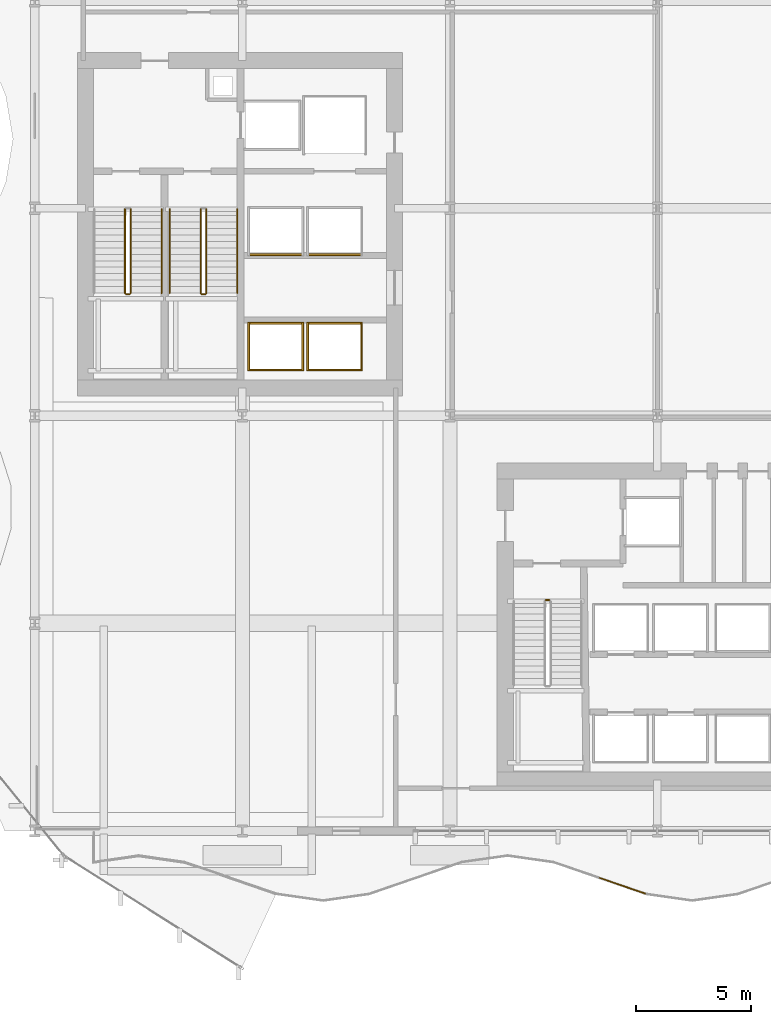
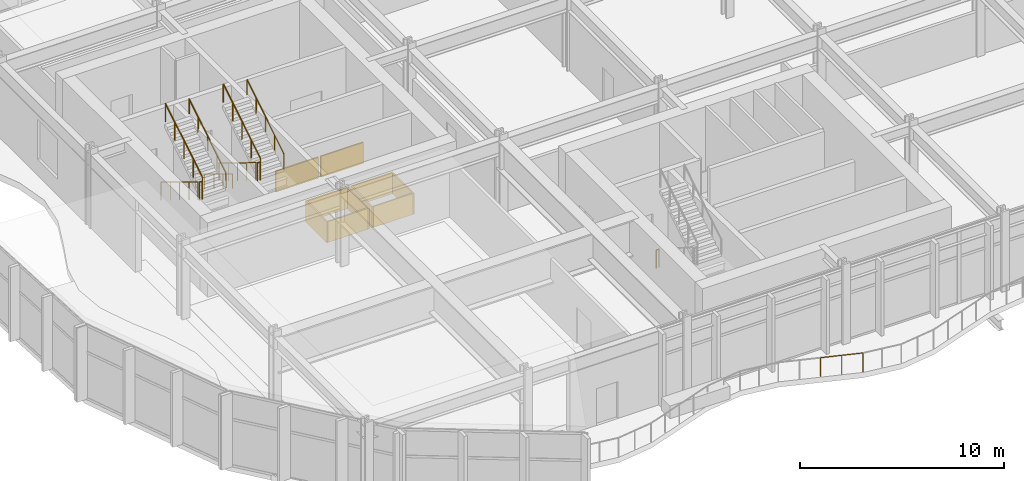
# One storey, part 27 of 31: 11 railings, 10 coverings.
"""IFC4 building model written with IfcOpenShell, lengths in metres."""

import ifcopenshell
import ifcopenshell.guid

model = None  # the IFC model being written
_history = None  # IfcOwnerHistory: only IFC2X3 demands one
_inside = {}  # id of a spatial element -> (the spatial element, [elements in it])
_under = {}  # id of a project, library or spatial element -> (it, [spatial elements below it])
_declared = {}  # id of a project -> (the project, [libraries it declares])
_typed = {}  # id of a type object -> (the type object, [elements of that type])
_made_of = {}  # id of a material, layer set ... -> (it, [elements and type objects made of it])


def new_model(schema):
    """Start an empty IFC model of exactly this schema.

    Asked for "IFC4X3", IfcOpenShell would pick the latest addendum, in which some entities
    have other attributes; the version numbers below select the first issue.
    IFC2X3 requires an IfcOwnerHistory on every rooted entity: one is made here for all.
    """
    global model, _history
    if schema == "IFC4X3":
        model = ifcopenshell.file(schema_version=(4, 3, 0, 0))
    else:
        model = ifcopenshell.file(schema=schema)
    _inside.clear()
    _under.clear()
    _declared.clear()
    _typed.clear()
    _made_of.clear()
    _history = None
    if model.schema == "IFC2X3":
        org = make("IfcOrganization", Name="unknown")
        user = make(
            "IfcPersonAndOrganization",
            ThePerson=make("IfcPerson", FamilyName="unknown"),
            TheOrganization=org,
        )
        app = make(
            "IfcApplication",
            ApplicationDeveloper=org,
            Version="unknown",
            ApplicationFullName="unknown",
            ApplicationIdentifier="unknown",
        )
        _history = make(
            "IfcOwnerHistory",
            OwningUser=user,
            OwningApplication=app,
            ChangeAction="ADDED",
            CreationDate=0,
        )
    return model


def make(cls, **values):
    """One entity of the class cls with the attributes given. An attribute that is None is left unset."""
    return model.create_entity(
        cls, **{name: value for name, value in values.items() if value is not None}
    )


def rooted(cls, **values):
    """An entity with a GlobalId (a new one), such as an element, a storey or a relation."""
    return make(cls, GlobalId=ifcopenshell.guid.new(), OwnerHistory=_history, **values)


def si_unit(unit_type, name, prefix=None):
    """IfcSIUnit, for example si_unit("LENGTHUNIT", "METRE", prefix="MILLI")."""
    return make("IfcSIUnit", UnitType=unit_type, Prefix=prefix, Name=name)


def assignment(units):
    """IfcUnitAssignment: the units of a project."""
    return None if units is None else make("IfcUnitAssignment", Units=units)


def point(xyz):
    """IfcCartesianPoint."""
    return None if xyz is None else make("IfcCartesianPoint", Coordinates=xyz)


def direction(xyz):
    """IfcDirection."""
    return None if xyz is None else make("IfcDirection", DirectionRatios=xyz)


def frame(location, z_axis=None, x_axis=None):
    """IfcAxis2Placement3D, a coordinate frame: its origin and axes. An axis left out is left unset."""
    return make(
        "IfcAxis2Placement3D",
        Location=point(location),
        Axis=direction(z_axis),
        RefDirection=direction(x_axis),
    )


def frame_2d(location, x_axis=None):
    """IfcAxis2Placement2D, a coordinate frame in the plane: its origin and x axis."""
    return make(
        "IfcAxis2Placement2D", Location=point(location), RefDirection=direction(x_axis)
    )


def origin():
    """The frame at (0, 0, 0) with its axes left unset."""
    return frame((0.0, 0.0, 0.0))


def origin_2d():
    """The frame at (0, 0) in the plane with its x axis left unset."""
    return frame_2d((0.0, 0.0))


def place(relative_to, where):
    """IfcLocalPlacement: puts the frame where relative to a parent placement (None: the world)."""
    return make(
        "IfcLocalPlacement", PlacementRelTo=relative_to, RelativePlacement=where
    )


def context(
    kind, dimensions, precision=None, world=None, true_north=None, identifier=None
):
    """IfcGeometricRepresentationContext, for example the 3D "Model" context."""
    return make(
        "IfcGeometricRepresentationContext",
        ContextIdentifier=identifier,
        ContextType=kind,
        CoordinateSpaceDimension=dimensions,
        Precision=precision,
        WorldCoordinateSystem=world,
        TrueNorth=true_north,
    )


def subcontext(parent, identifier, kind, view, scale=None):
    """IfcGeometricRepresentationSubContext, for example "Body" below "Model"."""
    return make(
        "IfcGeometricRepresentationSubContext",
        ContextIdentifier=identifier,
        ContextType=kind,
        ParentContext=parent,
        TargetScale=scale,
        TargetView=view,
    )


def project(units=None, contexts=None):
    """IfcProject with its units and contexts."""
    return rooted(
        "IfcProject",
        Name="project",
        RepresentationContexts=contexts,
        UnitsInContext=assignment(units),
    )


def spatial(cls, under=None, at=None, **own):
    """A site, building, storey or space (cls), placed at a placement, below another one or the project."""
    s = rooted(cls, ObjectPlacement=at, **own)
    if under is not None:
        _under.setdefault(under.id(), (under, []))[1].append(s)
    return s


def profile(cls, at=None, kind="AREA", **sizes):
    """A parametric profile (cls). Its sizes go by their IFC names, for example OverallWidth=200.0."""
    return make(cls, ProfileType=kind, Position=at, **sizes)


def rectangle(**sizes):
    """IfcRectangleProfileDef."""
    return profile("IfcRectangleProfileDef", **sizes)


def circle(**sizes):
    """IfcCircleProfileDef."""
    return profile("IfcCircleProfileDef", **sizes)


def extrude(swept, where, along, depth):
    """IfcExtrudedAreaSolid: the profile swept, set in the frame where, extruded along a direction by depth."""
    return make(
        "IfcExtrudedAreaSolid",
        SweptArea=swept,
        Position=where,
        ExtrudedDirection=direction(along),
        Depth=depth,
    )


def shape(context_of_items, identifier, shape_type, items):
    """IfcShapeRepresentation: the items that make up one representation, for example the "Body"."""
    return make(
        "IfcShapeRepresentation",
        ContextOfItems=context_of_items,
        RepresentationIdentifier=identifier,
        RepresentationType=shape_type,
        Items=items,
    )


def material(Name=None, Category=None):
    """IfcMaterial."""
    return make("IfcMaterial", Name=Name, Category=Category)


def layer(
    of_material, thickness, ventilated=None, Name=None, Category=None, Priority=None
):
    """IfcMaterialLayer: one layer of a wall or slab, of a material (None: an air gap)."""
    return make(
        "IfcMaterialLayer",
        Material=of_material,
        LayerThickness=thickness,
        IsVentilated=ventilated,
        Name=Name,
        Category=Category,
        Priority=Priority,
    )


def layer_set(layers, Name=None):
    """IfcMaterialLayerSet."""
    return make("IfcMaterialLayerSet", MaterialLayers=layers, LayerSetName=Name)


def made_of(thing, what):
    """Note that an element or type object is made of a material, layer set ...; save() writes the relation."""
    if what is not None:
        _made_of.setdefault(what.id(), (what, []))[1].append(thing)
    return thing


def type_object(cls, material=None, **own):
    """A type object (cls), such as IfcWallType, which elements share."""
    return made_of(rooted(cls, **own), material)


def element(
    cls,
    number,
    at=None,
    inside=None,
    cuts=None,
    type_object=None,
    material=None,
    context=None,
    identifier="Body",
    shape_type=None,
    held_by="IfcProductDefinitionShape",
    body=None,
    shapes=None,
    **own,
):
    """One element of the class cls, such as IfcWall. Its Tag is "e" and its number.

    at: its placement. inside: the storey or other place that contains it. cuts: it is an
    opening in that element (IfcRelVoidsElement). A single representation is given by context,
    identifier, shape_type and body (its items); several are given by shapes. held_by: the class
    of the entity that holds the representations. save() writes the other relations.
    """
    e = rooted(cls, Tag="e%d" % number, ObjectPlacement=at, **own)
    if body is not None:
        shapes = [shape(context, identifier, shape_type, body)]
    if shapes is not None:
        e.Representation = make(held_by, Representations=shapes)
    if inside is not None:
        _inside.setdefault(inside.id(), (inside, []))[1].append(e)
    if cuts is not None:
        rooted(
            "IfcRelVoidsElement", RelatingBuildingElement=cuts, RelatedOpeningElement=e
        )
    if type_object is not None:
        _typed.setdefault(type_object.id(), (type_object, []))[1].append(e)
    return made_of(e, material)


def aggregate(whole, parts):
    """IfcRelAggregates: a whole, such as a stair, and the parts it consists of."""
    return rooted("IfcRelAggregates", RelatingObject=whole, RelatedObjects=parts)


def save(model, path):
    """Write the relations noted so far, then the file.

    IfcRelAggregates (storeys below a building ...), IfcRelContainedInSpatialStructure (elements
    in a storey), IfcRelDefinesByType, IfcRelAssociatesMaterial and IfcRelDeclares: one each for
    every whole, place, type object, material and project.
    """
    for whole, parts in _under.values():
        aggregate(whole, parts)
    for where, things in _inside.values():
        rooted(
            "IfcRelContainedInSpatialStructure",
            RelatedElements=things,
            RelatingStructure=where,
        )
    for kind, things in _typed.values():
        rooted("IfcRelDefinesByType", RelatedObjects=things, RelatingType=kind)
    for what, things in _made_of.values():
        rooted("IfcRelAssociatesMaterial", RelatedObjects=things, RelatingMaterial=what)
    for by, libraries in _declared.values():
        rooted("IfcRelDeclares", RelatingContext=by, RelatedDefinitions=libraries)
    model.write(path)


model = new_model("IFC4")

# Units and contexts
model_context = context("Model", 3, precision=1e-05, world=origin(), true_north=direction((0.0, 1.0)))
body_context = subcontext(model_context, "Body", "Model", "MODEL_VIEW")
ifc_project = project(units=[si_unit("LENGTHUNIT", "METRE"), si_unit("AREAUNIT", "SQUARE_METRE"), si_unit("VOLUMEUNIT", "CUBIC_METRE"), si_unit("PLANEANGLEUNIT", "RADIAN"), si_unit("MASSUNIT", "GRAM", prefix="KILO")], contexts=[model_context])

# Site, building, storey
site_placement = place(None, origin())
site = spatial("IfcSite", under=ifc_project, at=site_placement, CompositionType="ELEMENT")
building_placement = place(site_placement, origin())
building = spatial("IfcBuilding", under=site, at=building_placement, Name="Solvaryn Broadcast Tower", CompositionType="ELEMENT")
storey_placement = place(building_placement, frame((0.0, 0.0, 26.0)))
storey = spatial("IfcBuildingStorey", under=building, at=storey_placement, Name="L05", CompositionType="ELEMENT", Elevation=26.0)

# Coverings
ifc_material_1 = material(Name="Fire-Rated Gypsum Shaftwall Liner", Category="concrete")
ifc_layer = layer(ifc_material_1, 0.080078125)
ifc_layer_set = layer_set([ifc_layer], Name="CV-SHAFT-LINER")
covering_type = type_object("IfcCoveringType", Name="CV-SHAFT-LINER", PredefinedType="CLADDING", material=ifc_layer_set)
for number, where, z_axis, x_axis, name in (
    (1, (19.449951171875, 31.014892578125, 0.0), (0.0, 0.0, 1.0), (1.0, 0.0, 0.0), "L05 PH1 Hoistway Shaft Liner North"),
    (2, (19.449951171875, 28.985107421875, 0.0), (0.0, 0.0, 1.0), (1.0, 0.0, 0.0), "L05 PH1 Hoistway Shaft Liner South"),
):
    element("IfcCovering", number, at=place(storey_placement, frame(where, z_axis=z_axis, x_axis=x_axis)), inside=storey, type_object=covering_type, Name=name, PredefinedType="CLADDING", context=body_context, shape_type="SweptSolid", body=[
        extrude(rectangle(XDim=2.409912109375, YDim=0.080078125, at=origin_2d()), origin(), (0.0, 0.0, 1.0), 1.25),
    ])
for number, where, z_axis, x_axis, name in (
    (3, (20.614990234375, 30.0, 0.0), (0.0, 0.0, 1.0), (1.0, 0.0, 0.0), "L05 PH1 Hoistway Shaft Liner East"),
    (4, (18.284912109375, 30.0, 0.0), (0.0, 0.0, 1.0), (1.0, 0.0, 0.0), "L05 PH1 Hoistway Shaft Liner West"),
):
    element("IfcCovering", number, at=place(storey_placement, frame(where, z_axis=z_axis, x_axis=x_axis)), inside=storey, type_object=covering_type, Name=name, PredefinedType="CLADDING", context=body_context, shape_type="SweptSolid", body=[
        extrude(rectangle(XDim=0.080078125, YDim=2.110107421875, at=origin_2d()), origin(), (0.0, 0.0, 1.0), 1.25),
    ])
for number, where, z_axis, x_axis, name in (
    (5, (22.0, 31.014892578125, 0.0), (0.0, 0.0, 1.0), (1.0, 0.0, 0.0), "L05 PH2 Hoistway Shaft Liner North"),
    (6, (22.0, 28.985107421875, 0.0), (0.0, 0.0, 1.0), (1.0, 0.0, 0.0), "L05 PH2 Hoistway Shaft Liner South"),
):
    element("IfcCovering", number, at=place(storey_placement, frame(where, z_axis=z_axis, x_axis=x_axis)), inside=storey, type_object=covering_type, Name=name, PredefinedType="CLADDING", context=body_context, shape_type="SweptSolid", body=[
        extrude(rectangle(XDim=2.409912109375, YDim=0.080078125, at=origin_2d()), origin(), (0.0, 0.0, 1.0), 1.25),
    ])
for number, where, z_axis, x_axis, name in (
    (7, (23.1650390625, 30.0, 0.0), (0.0, 0.0, 1.0), (1.0, 0.0, 0.0), "L05 PH2 Hoistway Shaft Liner East"),
    (8, (20.8349609375, 30.0, 0.0), (0.0, 0.0, 1.0), (1.0, 0.0, 0.0), "L05 PH2 Hoistway Shaft Liner West"),
):
    element("IfcCovering", number, at=place(storey_placement, frame(where, z_axis=z_axis, x_axis=x_axis)), inside=storey, type_object=covering_type, Name=name, PredefinedType="CLADDING", context=body_context, shape_type="SweptSolid", body=[
        extrude(rectangle(XDim=0.080078125, YDim=2.110107421875, at=origin_2d()), origin(), (0.0, 0.0, 1.0), 1.25),
    ])
for number, where, z_axis, x_axis, name in (
    (9, (19.449951171875, 33.985107421875, 0.0), (0.0, 0.0, 1.0), (1.0, 0.0, 0.0), "L05 PH3 Hoistway Shaft Liner South"),
    (10, (22.0, 33.985107421875, 0.0), (0.0, 0.0, 1.0), (1.0, 0.0, 0.0), "L05 PH4 Hoistway Shaft Liner South"),
):
    element("IfcCovering", number, at=place(storey_placement, frame(where, z_axis=z_axis, x_axis=x_axis)), inside=storey, type_object=covering_type, Name=name, PredefinedType="CLADDING", context=body_context, shape_type="SweptSolid", body=[
        extrude(rectangle(XDim=2.409912109375, YDim=0.080078125, at=origin_2d()), origin(), (0.0, 0.0, 1.0), 1.25),
    ])

# Railings
ifc_material_2 = material(Name="Painted Steel Stair Well Guard", Category="steel")
railing_type_1 = type_object("IfcRailingType", Name="RL-STAIR-GUARD", PredefinedType="BALUSTRADE", material=ifc_material_2)
railing_1_placement = place(storey_placement, frame((12.909912109375, 35.9599609375, 0.17138671875)))
element("IfcRailing", 11, at=railing_1_placement, inside=storey, type_object=railing_type_1, Name="L05 ST1 stair guard 1", PredefinedType="BALUSTRADE", context=body_context, shape_type="SweptSolid", body=[
    extrude(circle(Radius=0.02392578125, at=origin_2d()), frame((0.0, 0.0, 1.076171875), z_axis=(0.0, -0.852850264322, 0.5221555579), x_axis=(1.0, 0.0, 0.0)), (0.0, 0.0, 1.0), 4.267822265625),
    extrude(circle(Radius=0.02099609375, at=origin_2d()), origin(), (0.0, 0.0, 1.0), 1.052001953125),
    extrude(circle(Radius=0.02099609375, at=origin_2d()), frame((0.0, -0.909912109375, 0.55712890625)), (0.0, 0.0, 1.0), 1.052001953125),
    extrude(circle(Radius=0.02099609375, at=origin_2d()), frame((0.0, -1.81982421875, 1.1142578125)), (0.0, 0.0, 1.0), 1.052001953125),
    extrude(circle(Radius=0.02099609375, at=origin_2d()), frame((0.0, -2.72998046875, 1.67138671875)), (0.0, 0.0, 1.0), 1.052001953125),
    extrude(circle(Radius=0.02099609375, at=origin_2d()), frame((0.0, -3.639892578125, 2.228515625)), (0.0, 0.0, 1.0), 1.052001953125),
])
railing_2_placement = place(storey_placement, frame((12.9599609375, 32.27001953125, 2.39990234375)))
element("IfcRailing", 12, at=railing_2_placement, inside=storey, type_object=railing_type_1, Name="L05 ST1 stair guard 2", PredefinedType="BALUSTRADE", context=body_context, shape_type="SweptSolid", body=[
    extrude(circle(Radius=0.02392578125, at=origin_2d()), frame((0.0, 0.0, 1.076171875), z_axis=(1.0, 0.0, 0.0), x_axis=(0.0, 1.0, 0.0)), (0.0, 0.0, 1.0), 0.150146484375),
    extrude(circle(Radius=0.02099609375, at=origin_2d()), origin(), (0.0, 0.0, 1.0), 1.052001953125),
    extrude(circle(Radius=0.02099609375, at=origin_2d()), frame((0.150146484375, 0.0, 0.0)), (0.0, 0.0, 1.0), 1.052001953125),
])
railing_3_placement = place(storey_placement, frame((13.159912109375, 32.320068359375, 2.571533203125)))
element("IfcRailing", 13, at=railing_3_placement, inside=storey, type_object=railing_type_1, Name="L05 ST1 stair guard 3", PredefinedType="BALUSTRADE", context=body_context, shape_type="SweptSolid", body=[
    extrude(circle(Radius=0.02392578125, at=origin_2d()), frame((0.0, 0.0, 1.076171875), z_axis=(0.0, 0.852850264322, 0.5221555579), x_axis=(-1.0, 0.0, 0.0)), (0.0, 0.0, 1.0), 4.267822265625),
    extrude(circle(Radius=0.02099609375, at=origin_2d()), origin(), (0.0, 0.0, 1.0), 1.052001953125),
    extrude(circle(Radius=0.02099609375, at=origin_2d()), frame((0.0, 0.909912109375, 0.55712890625)), (0.0, 0.0, 1.0), 1.052001953125),
    extrude(circle(Radius=0.02099609375, at=origin_2d()), frame((0.0, 1.81982421875, 1.1142578125)), (0.0, 0.0, 1.0), 1.052001953125),
    extrude(circle(Radius=0.02099609375, at=origin_2d()), frame((0.0, 2.72998046875, 1.67138671875)), (0.0, 0.0, 1.0), 1.052001953125),
    extrude(circle(Radius=0.02099609375, at=origin_2d()), frame((0.0, 3.639892578125, 2.228515625)), (0.0, 0.0, 1.0), 1.052001953125),
])
railing_4_placement = place(storey_placement, frame((16.18994140625, 35.9599609375, 0.17138671875)))
element("IfcRailing", 14, at=railing_4_placement, inside=storey, type_object=railing_type_1, Name="L05 ST2 stair guard 1", PredefinedType="BALUSTRADE", context=body_context, shape_type="SweptSolid", body=[
    extrude(circle(Radius=0.02392578125, at=origin_2d()), frame((0.0, 0.0, 1.076171875), z_axis=(0.0, -0.852850264322, 0.5221555579), x_axis=(1.0, 0.0, 0.0)), (0.0, 0.0, 1.0), 4.267822265625),
    extrude(circle(Radius=0.02099609375, at=origin_2d()), origin(), (0.0, 0.0, 1.0), 1.052001953125),
    extrude(circle(Radius=0.02099609375, at=origin_2d()), frame((0.0, -0.909912109375, 0.55712890625)), (0.0, 0.0, 1.0), 1.052001953125),
    extrude(circle(Radius=0.02099609375, at=origin_2d()), frame((0.0, -1.81982421875, 1.1142578125)), (0.0, 0.0, 1.0), 1.052001953125),
    extrude(circle(Radius=0.02099609375, at=origin_2d()), frame((0.0, -2.72998046875, 1.67138671875)), (0.0, 0.0, 1.0), 1.052001953125),
    extrude(circle(Radius=0.02099609375, at=origin_2d()), frame((0.0, -3.639892578125, 2.228515625)), (0.0, 0.0, 1.0), 1.052001953125),
])
railing_5_placement = place(storey_placement, frame((16.239990234375, 32.27001953125, 2.39990234375)))
element("IfcRailing", 15, at=railing_5_placement, inside=storey, type_object=railing_type_1, Name="L05 ST2 stair guard 2", PredefinedType="BALUSTRADE", context=body_context, shape_type="SweptSolid", body=[
    extrude(circle(Radius=0.02392578125, at=origin_2d()), frame((0.0, 0.0, 1.076171875), z_axis=(1.0, 0.0, 0.0), x_axis=(0.0, 1.0, 0.0)), (0.0, 0.0, 1.0), 0.14990234375),
    extrude(circle(Radius=0.02099609375, at=origin_2d()), origin(), (0.0, 0.0, 1.0), 1.052001953125),
    extrude(circle(Radius=0.02099609375, at=origin_2d()), frame((0.14990234375, 0.0, 0.0)), (0.0, 0.0, 1.0), 1.052001953125),
])
railing_6_placement = place(storey_placement, frame((16.43994140625, 32.320068359375, 2.571533203125)))
element("IfcRailing", 16, at=railing_6_placement, inside=storey, type_object=railing_type_1, Name="L05 ST2 stair guard 3", PredefinedType="BALUSTRADE", context=body_context, shape_type="SweptSolid", body=[
    extrude(circle(Radius=0.02392578125, at=origin_2d()), frame((0.0, 0.0, 1.076171875), z_axis=(0.0, 0.852850264322, 0.5221555579), x_axis=(-1.0, 0.0, 0.0)), (0.0, 0.0, 1.0), 4.267822265625),
    extrude(circle(Radius=0.02099609375, at=origin_2d()), origin(), (0.0, 0.0, 1.0), 1.052001953125),
    extrude(circle(Radius=0.02099609375, at=origin_2d()), frame((0.0, 0.909912109375, 0.55712890625)), (0.0, 0.0, 1.0), 1.052001953125),
    extrude(circle(Radius=0.02099609375, at=origin_2d()), frame((0.0, 1.81982421875, 1.1142578125)), (0.0, 0.0, 1.0), 1.052001953125),
    extrude(circle(Radius=0.02099609375, at=origin_2d()), frame((0.0, 2.72998046875, 1.67138671875)), (0.0, 0.0, 1.0), 1.052001953125),
    extrude(circle(Radius=0.02099609375, at=origin_2d()), frame((0.0, 3.639892578125, 2.228515625)), (0.0, 0.0, 1.0), 1.052001953125),
])
railing_7_placement = place(storey_placement, frame((31.159912109375, 19.010009765625, 0.0)))
element("IfcRailing", 17, at=railing_7_placement, inside=storey, type_object=railing_type_1, Name="L05 ST3 stair guard 4", PredefinedType="BALUSTRADE", context=body_context, shape_type="SweptSolid", body=[
    extrude(circle(Radius=0.02392578125, at=origin_2d()), frame((0.0, 0.0, 1.076171875), z_axis=(1.0, 0.0, 0.0), x_axis=(0.0, 1.0, 0.0)), (0.0, 0.0, 1.0), 0.150146484375),
    extrude(circle(Radius=0.02099609375, at=origin_2d()), origin(), (0.0, 0.0, 1.0), 1.052001953125),
    extrude(circle(Radius=0.02099609375, at=origin_2d()), frame((0.150146484375, 0.0, 0.0)), (0.0, 0.0, 1.0), 1.052001953125),
])
ifc_material_3 = material(Name="Brushed Stainless Steel Tubular Handrail", Category="steel")
railing_type_2 = type_object("IfcRailingType", Name="RL-STAIR-HANDRAIL", PredefinedType="HANDRAIL", material=ifc_material_3)
railing_8_placement = place(storey_placement, frame((14.5, 32.320068359375, 2.571533203125)))
element("IfcRailing", 18, at=railing_8_placement, inside=storey, type_object=railing_type_2, Name="L05 ST1 stair handrail 2", PredefinedType="HANDRAIL", context=body_context, shape_type="SweptSolid", body=[
    extrude(circle(Radius=0.02392578125, at=origin_2d()), frame((0.0, 0.0, 0.8759765625), z_axis=(0.0, 0.852850264322, 0.5221555579), x_axis=(-1.0, 0.0, 0.0)), (0.0, 0.0, 1.0), 4.267822265625),
    extrude(circle(Radius=0.02099609375, at=origin_2d()), origin(), (0.0, 0.0, 1.0), 0.851806640625),
    extrude(circle(Radius=0.02099609375, at=origin_2d()), frame((0.0, 0.909912109375, 0.55712890625)), (0.0, 0.0, 1.0), 0.851806640625),
    extrude(circle(Radius=0.02099609375, at=origin_2d()), frame((0.0, 1.81982421875, 1.1142578125)), (0.0, 0.0, 1.0), 0.851806640625),
    extrude(circle(Radius=0.02099609375, at=origin_2d()), frame((0.0, 2.72998046875, 1.67138671875)), (0.0, 0.0, 1.0), 0.851806640625),
    extrude(circle(Radius=0.02099609375, at=origin_2d()), frame((0.0, 3.639892578125, 2.228515625)), (0.0, 0.0, 1.0), 0.851806640625),
])
railing_9_placement = place(storey_placement, frame((14.85009765625, 35.9599609375, 0.17138671875)))
element("IfcRailing", 19, at=railing_9_placement, inside=storey, type_object=railing_type_2, Name="L05 ST2 stair handrail 1", PredefinedType="HANDRAIL", context=body_context, shape_type="SweptSolid", body=[
    extrude(circle(Radius=0.02392578125, at=origin_2d()), frame((0.0, 0.0, 0.8759765625), z_axis=(0.0, -0.852850264322, 0.5221555579), x_axis=(1.0, 0.0, 0.0)), (0.0, 0.0, 1.0), 4.267822265625),
    extrude(circle(Radius=0.02099609375, at=origin_2d()), origin(), (0.0, 0.0, 1.0), 0.851806640625),
    extrude(circle(Radius=0.02099609375, at=origin_2d()), frame((0.0, -0.909912109375, 0.55712890625)), (0.0, 0.0, 1.0), 0.851806640625),
    extrude(circle(Radius=0.02099609375, at=origin_2d()), frame((0.0, -1.81982421875, 1.1142578125)), (0.0, 0.0, 1.0), 0.851806640625),
    extrude(circle(Radius=0.02099609375, at=origin_2d()), frame((0.0, -2.72998046875, 1.67138671875)), (0.0, 0.0, 1.0), 0.851806640625),
    extrude(circle(Radius=0.02099609375, at=origin_2d()), frame((0.0, -3.639892578125, 2.228515625)), (0.0, 0.0, 1.0), 0.851806640625),
])
railing_10_placement = place(storey_placement, frame((17.780029296875, 32.320068359375, 2.571533203125)))
element("IfcRailing", 20, at=railing_10_placement, inside=storey, type_object=railing_type_2, Name="L05 ST2 stair handrail 2", PredefinedType="HANDRAIL", context=body_context, shape_type="SweptSolid", body=[
    extrude(circle(Radius=0.02392578125, at=origin_2d()), frame((0.0, 0.0, 0.8759765625), z_axis=(0.0, 0.852850264322, 0.5221555579), x_axis=(-1.0, 0.0, 0.0)), (0.0, 0.0, 1.0), 4.267822265625),
    extrude(circle(Radius=0.02099609375, at=origin_2d()), origin(), (0.0, 0.0, 1.0), 0.851806640625),
    extrude(circle(Radius=0.02099609375, at=origin_2d()), frame((0.0, 0.909912109375, 0.55712890625)), (0.0, 0.0, 1.0), 0.851806640625),
    extrude(circle(Radius=0.02099609375, at=origin_2d()), frame((0.0, 1.81982421875, 1.1142578125)), (0.0, 0.0, 1.0), 0.851806640625),
    extrude(circle(Radius=0.02099609375, at=origin_2d()), frame((0.0, 2.72998046875, 1.67138671875)), (0.0, 0.0, 1.0), 0.851806640625),
    extrude(circle(Radius=0.02099609375, at=origin_2d()), frame((0.0, 3.639892578125, 2.228515625)), (0.0, 0.0, 1.0), 0.851806640625),
])
ifc_material_4 = material(Name="Stainless Steel and Laminated Glass Guard", Category="steel")
railing_type_3 = type_object("IfcRailingType", Name="RL-TER-1150", PredefinedType="BALUSTRADE", material=ifc_material_4)
railing_11_placement = place(storey_placement, frame((33.5, 6.9599609375, 0.0)))
element("IfcRailing", 21, at=railing_11_placement, inside=storey, type_object=railing_type_3, Name="L05 Terrace Guard TS05S-13", PredefinedType="BALUSTRADE", context=body_context, shape_type="SweptSolid", body=[
    extrude(circle(Radius=0.02392578125, at=origin_2d()), frame((0.0, 0.0, 1.1259765625), z_axis=(0.945402411711, -0.325905323568, 0.0), x_axis=(0.325905323568, 0.945402411711, 0.0)), (0.0, 0.0, 1.0), 2.115478515625),
    extrude(circle(Radius=0.02099609375, at=origin_2d()), origin(), (0.0, 0.0, 1.0), 1.101806640625),
    extrude(circle(Radius=0.02099609375, at=origin_2d()), frame((1.0, -0.3447265625, 0.0)), (0.0, 0.0, 1.0), 1.101806640625),
    extrude(circle(Radius=0.02099609375, at=origin_2d()), frame((2.0, -0.689453125, 0.0)), (0.0, 0.0, 1.0), 1.101806640625),
])

save(model, "model.ifc")
